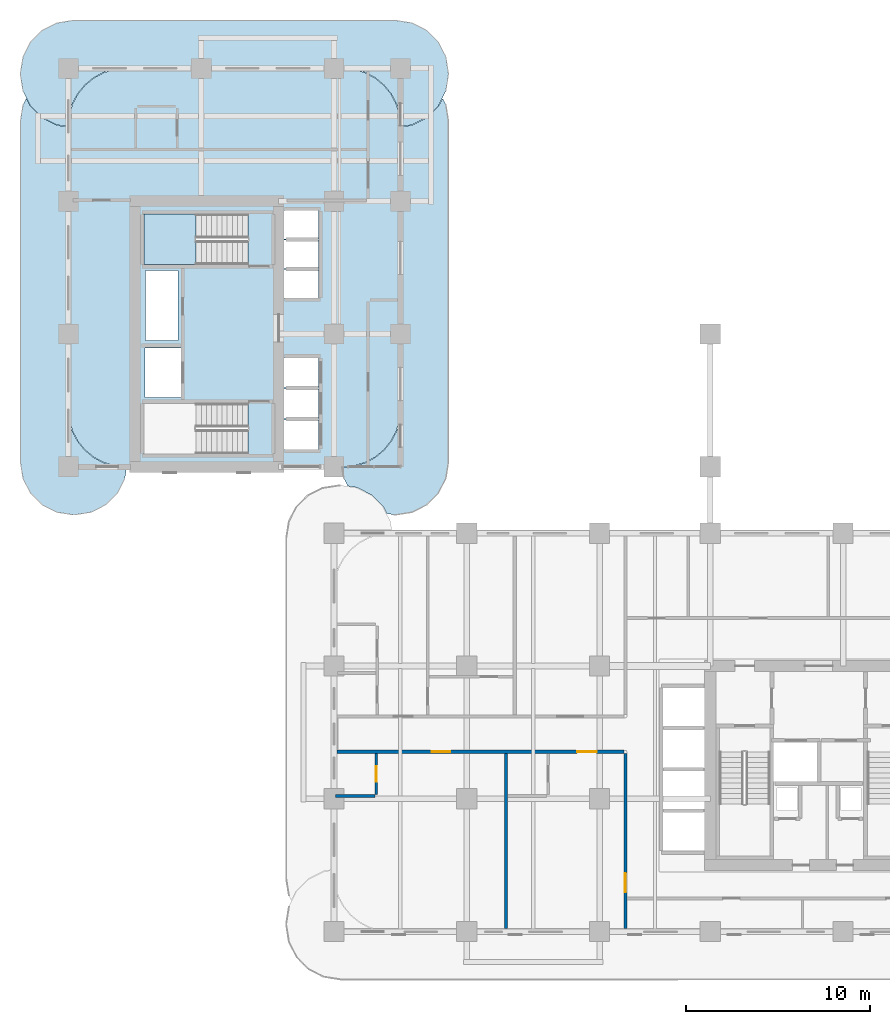
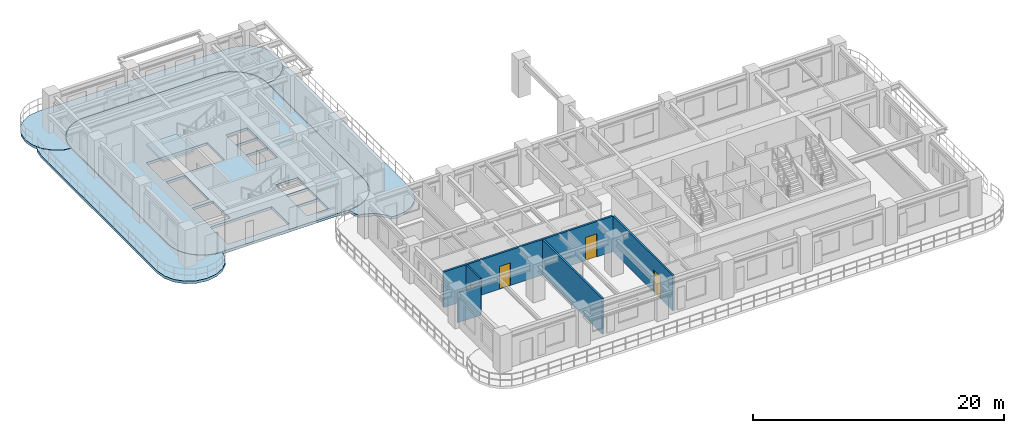
# One storey, part 6 of 19: 5 slabs, 5 walls, 4 doors, 4 openings, 1 element without a shape of its own.
"""IFC4 building model written with IfcOpenShell, lengths in metres."""

import ifcopenshell
import ifcopenshell.guid

model = None  # the IFC model being written
_history = None  # IfcOwnerHistory: only IFC2X3 demands one
_inside = {}  # id of a spatial element -> (the spatial element, [elements in it])
_under = {}  # id of a project, library or spatial element -> (it, [spatial elements below it])
_declared = {}  # id of a project -> (the project, [libraries it declares])
_typed = {}  # id of a type object -> (the type object, [elements of that type])
_made_of = {}  # id of a material, layer set ... -> (it, [elements and type objects made of it])


def new_model(schema):
    """Start an empty IFC model of exactly this schema.

    Asked for "IFC4X3", IfcOpenShell would pick the latest addendum, in which some entities
    have other attributes; the version numbers below select the first issue.
    IFC2X3 requires an IfcOwnerHistory on every rooted entity: one is made here for all.
    """
    global model, _history
    if schema == "IFC4X3":
        model = ifcopenshell.file(schema_version=(4, 3, 0, 0))
    else:
        model = ifcopenshell.file(schema=schema)
    _inside.clear()
    _under.clear()
    _declared.clear()
    _typed.clear()
    _made_of.clear()
    _history = None
    if model.schema == "IFC2X3":
        org = make("IfcOrganization", Name="unknown")
        user = make(
            "IfcPersonAndOrganization",
            ThePerson=make("IfcPerson", FamilyName="unknown"),
            TheOrganization=org,
        )
        app = make(
            "IfcApplication",
            ApplicationDeveloper=org,
            Version="unknown",
            ApplicationFullName="unknown",
            ApplicationIdentifier="unknown",
        )
        _history = make(
            "IfcOwnerHistory",
            OwningUser=user,
            OwningApplication=app,
            ChangeAction="ADDED",
            CreationDate=0,
        )
    return model


def make(cls, **values):
    """One entity of the class cls with the attributes given. An attribute that is None is left unset."""
    return model.create_entity(
        cls, **{name: value for name, value in values.items() if value is not None}
    )


def rooted(cls, **values):
    """An entity with a GlobalId (a new one), such as an element, a storey or a relation."""
    return make(cls, GlobalId=ifcopenshell.guid.new(), OwnerHistory=_history, **values)


def si_unit(unit_type, name, prefix=None):
    """IfcSIUnit, for example si_unit("LENGTHUNIT", "METRE", prefix="MILLI")."""
    return make("IfcSIUnit", UnitType=unit_type, Prefix=prefix, Name=name)


def derived_unit(unit_type, elements):
    """IfcDerivedUnit: a product of units, each with its exponent."""
    return make(
        "IfcDerivedUnit",
        Elements=[
            make("IfcDerivedUnitElement", Unit=unit, Exponent=power)
            for unit, power in elements
        ],
        UnitType=unit_type,
    )


def assignment(units):
    """IfcUnitAssignment: the units of a project."""
    return None if units is None else make("IfcUnitAssignment", Units=units)


def point(xyz):
    """IfcCartesianPoint."""
    return None if xyz is None else make("IfcCartesianPoint", Coordinates=xyz)


def direction(xyz):
    """IfcDirection."""
    return None if xyz is None else make("IfcDirection", DirectionRatios=xyz)


def frame(location, z_axis=None, x_axis=None):
    """IfcAxis2Placement3D, a coordinate frame: its origin and axes. An axis left out is left unset."""
    return make(
        "IfcAxis2Placement3D",
        Location=point(location),
        Axis=direction(z_axis),
        RefDirection=direction(x_axis),
    )


def frame_2d(location, x_axis=None):
    """IfcAxis2Placement2D, a coordinate frame in the plane: its origin and x axis."""
    return make(
        "IfcAxis2Placement2D", Location=point(location), RefDirection=direction(x_axis)
    )


def origin():
    """The frame at (0, 0, 0) with its axes left unset."""
    return frame((0.0, 0.0, 0.0))


def place(relative_to, where):
    """IfcLocalPlacement: puts the frame where relative to a parent placement (None: the world)."""
    return make(
        "IfcLocalPlacement", PlacementRelTo=relative_to, RelativePlacement=where
    )


def context(
    kind, dimensions, precision=None, world=None, true_north=None, identifier=None
):
    """IfcGeometricRepresentationContext, for example the 3D "Model" context."""
    return make(
        "IfcGeometricRepresentationContext",
        ContextIdentifier=identifier,
        ContextType=kind,
        CoordinateSpaceDimension=dimensions,
        Precision=precision,
        WorldCoordinateSystem=world,
        TrueNorth=true_north,
    )


def subcontext(parent, identifier, kind, view, scale=None):
    """IfcGeometricRepresentationSubContext, for example "Body" below "Model"."""
    return make(
        "IfcGeometricRepresentationSubContext",
        ContextIdentifier=identifier,
        ContextType=kind,
        ParentContext=parent,
        TargetScale=scale,
        TargetView=view,
    )


def project(units=None, contexts=None):
    """IfcProject with its units and contexts."""
    return rooted(
        "IfcProject",
        Name="project",
        RepresentationContexts=contexts,
        UnitsInContext=assignment(units),
    )


def spatial(cls, under=None, at=None, **own):
    """A site, building, storey or space (cls), placed at a placement, below another one or the project."""
    s = rooted(cls, ObjectPlacement=at, **own)
    if under is not None:
        _under.setdefault(under.id(), (under, []))[1].append(s)
    return s


def polyline(points):
    """IfcPolyline through the points."""
    return make("IfcPolyline", Points=[point(p) for p in points])


def profile(cls, at=None, kind="AREA", **sizes):
    """A parametric profile (cls). Its sizes go by their IFC names, for example OverallWidth=200.0."""
    return make(cls, ProfileType=kind, Position=at, **sizes)


def rectangle(**sizes):
    """IfcRectangleProfileDef."""
    return profile("IfcRectangleProfileDef", **sizes)


def outline(outer, holes=None, kind="AREA"):
    """IfcArbitraryClosedProfileDef: a profile drawn as a closed curve; with holes, ...WithVoids."""
    if holes is None:
        return make("IfcArbitraryClosedProfileDef", ProfileType=kind, OuterCurve=outer)
    return make(
        "IfcArbitraryProfileDefWithVoids",
        ProfileType=kind,
        OuterCurve=outer,
        InnerCurves=holes,
    )


def extrude(swept, where, along, depth):
    """IfcExtrudedAreaSolid: the profile swept, set in the frame where, extruded along a direction by depth."""
    return make(
        "IfcExtrudedAreaSolid",
        SweptArea=swept,
        Position=where,
        ExtrudedDirection=direction(along),
        Depth=depth,
    )


def shape(context_of_items, identifier, shape_type, items):
    """IfcShapeRepresentation: the items that make up one representation, for example the "Body"."""
    return make(
        "IfcShapeRepresentation",
        ContextOfItems=context_of_items,
        RepresentationIdentifier=identifier,
        RepresentationType=shape_type,
        Items=items,
    )


def source(mapping_origin, context_of_items, identifier, shape_type, items):
    """IfcRepresentationMap: a shape defined once, which mapped items show again and again."""
    return make(
        "IfcRepresentationMap",
        MappingOrigin=mapping_origin,
        MappedRepresentation=shape(context_of_items, identifier, shape_type, items),
    )


def transform(
    local_origin,
    x_axis=None,
    y_axis=None,
    z_axis=None,
    scale=None,
    scale2=None,
    scale3=None,
    uniform=True,
):
    """IfcCartesianTransformationOperator3D, or its non-uniform kind. x_axis, y_axis, z_axis: its Axis1, 2, 3."""
    if uniform:
        return make(
            "IfcCartesianTransformationOperator3D",
            Axis1=direction(x_axis),
            Axis2=direction(y_axis),
            LocalOrigin=point(local_origin),
            Scale=scale,
            Axis3=direction(z_axis),
        )
    return make(
        "IfcCartesianTransformationOperator3DnonUniform",
        Axis1=direction(x_axis),
        Axis2=direction(y_axis),
        LocalOrigin=point(local_origin),
        Scale=scale,
        Axis3=direction(z_axis),
        Scale2=scale2,
        Scale3=scale3,
    )


def mapped(mapping_source, mapping_target):
    """IfcMappedItem: shows the shape of a source again, moved by a transform."""
    return make(
        "IfcMappedItem", MappingSource=mapping_source, MappingTarget=mapping_target
    )


def material(Name=None, Category=None):
    """IfcMaterial."""
    return make("IfcMaterial", Name=Name, Category=Category)


def layer(
    of_material, thickness, ventilated=None, Name=None, Category=None, Priority=None
):
    """IfcMaterialLayer: one layer of a wall or slab, of a material (None: an air gap)."""
    return make(
        "IfcMaterialLayer",
        Material=of_material,
        LayerThickness=thickness,
        IsVentilated=ventilated,
        Name=Name,
        Category=Category,
        Priority=Priority,
    )


def layer_set(layers, Name=None):
    """IfcMaterialLayerSet."""
    return make("IfcMaterialLayerSet", MaterialLayers=layers, LayerSetName=Name)


def made_of(thing, what):
    """Note that an element or type object is made of a material, layer set ...; save() writes the relation."""
    if what is not None:
        _made_of.setdefault(what.id(), (what, []))[1].append(thing)
    return thing


def type_object(cls, material=None, **own):
    """A type object (cls), such as IfcWallType, which elements share."""
    return made_of(rooted(cls, **own), material)


def type_shapes(of_type, sources):
    """Give a type object the sources (RepresentationMaps) that its elements show as mapped items."""
    of_type.RepresentationMaps = sources


def element(
    cls,
    number,
    at=None,
    inside=None,
    cuts=None,
    type_object=None,
    material=None,
    context=None,
    identifier="Body",
    shape_type=None,
    held_by="IfcProductDefinitionShape",
    body=None,
    shapes=None,
    **own,
):
    """One element of the class cls, such as IfcWall. Its Tag is "e" and its number.

    at: its placement. inside: the storey or other place that contains it. cuts: it is an
    opening in that element (IfcRelVoidsElement). A single representation is given by context,
    identifier, shape_type and body (its items); several are given by shapes. held_by: the class
    of the entity that holds the representations. save() writes the other relations.
    """
    e = rooted(cls, Tag="e%d" % number, ObjectPlacement=at, **own)
    if body is not None:
        shapes = [shape(context, identifier, shape_type, body)]
    if shapes is not None:
        e.Representation = make(held_by, Representations=shapes)
    if inside is not None:
        _inside.setdefault(inside.id(), (inside, []))[1].append(e)
    if cuts is not None:
        rooted(
            "IfcRelVoidsElement", RelatingBuildingElement=cuts, RelatedOpeningElement=e
        )
    if type_object is not None:
        _typed.setdefault(type_object.id(), (type_object, []))[1].append(e)
    return made_of(e, material)


def fill(opening, filler):
    """IfcRelFillsElement: the door or window that sits in an opening."""
    return rooted(
        "IfcRelFillsElement",
        RelatingOpeningElement=opening,
        RelatedBuildingElement=filler,
    )


def aggregate(whole, parts):
    """IfcRelAggregates: a whole, such as a stair, and the parts it consists of."""
    return rooted("IfcRelAggregates", RelatingObject=whole, RelatedObjects=parts)


def save(model, path):
    """Write the relations noted so far, then the file.

    IfcRelAggregates (storeys below a building ...), IfcRelContainedInSpatialStructure (elements
    in a storey), IfcRelDefinesByType, IfcRelAssociatesMaterial and IfcRelDeclares: one each for
    every whole, place, type object, material and project.
    """
    for whole, parts in _under.values():
        aggregate(whole, parts)
    for where, things in _inside.values():
        rooted(
            "IfcRelContainedInSpatialStructure",
            RelatedElements=things,
            RelatingStructure=where,
        )
    for kind, things in _typed.values():
        rooted("IfcRelDefinesByType", RelatedObjects=things, RelatingType=kind)
    for what, things in _made_of.values():
        rooted("IfcRelAssociatesMaterial", RelatedObjects=things, RelatingMaterial=what)
    for by, libraries in _declared.values():
        rooted("IfcRelDeclares", RelatingContext=by, RelatedDefinitions=libraries)
    model.write(path)


model = new_model("IFC4")

# Units and contexts
model_context = context("Model", 3, precision=1e-05, world=origin(), true_north=direction((0.0, 1.0)))
body_context = subcontext(model_context, "Body", "Model", "MODEL_VIEW")
ifc_project = project(units=[si_unit("LENGTHUNIT", "METRE"), si_unit("AREAUNIT", "SQUARE_METRE"), si_unit("VOLUMEUNIT", "CUBIC_METRE"), si_unit("PLANEANGLEUNIT", "RADIAN"), si_unit("MASSUNIT", "GRAM", prefix="KILO"), si_unit("THERMODYNAMICTEMPERATUREUNIT", "KELVIN"), si_unit("POWERUNIT", "WATT"), derived_unit("THERMALTRANSMITTANCEUNIT", [(si_unit("POWERUNIT", "WATT"), 1), (si_unit("AREAUNIT", "SQUARE_METRE"), -1), (si_unit("THERMODYNAMICTEMPERATUREUNIT", "KELVIN"), -1)])], contexts=[model_context])

# Site, building, storey
site_placement = place(None, origin())
site = spatial("IfcSite", under=ifc_project, at=site_placement, CompositionType="ELEMENT")
building_placement = place(site_placement, origin())
building = spatial("IfcBuilding", under=site, at=building_placement, Name="Zahravan Archway Hotel and Residences", CompositionType="ELEMENT")
storey_placement = place(building_placement, frame((0.0, 0.0, 39.800048828125)))
storey = spatial("IfcBuildingStorey", under=building, at=storey_placement, Name="L08", CompositionType="ELEMENT", Elevation=39.800048828125)

# Slabs
ifc_material_1 = material(Name="Concrete C45/55", Category="concrete")
ifc_layer_1 = layer(ifc_material_1, 0.25, Name="Concrete C45/55", Category="concrete")
ifc_layer_set_1 = layer_set([ifc_layer_1], Name="Concrete C45/55")
slab_type_1 = type_object("IfcSlabType", Name="SLB-BALC-250", PredefinedType="FLOOR", material=ifc_layer_set_1)
slab_1_placement = place(storey_placement, frame((0.0, 0.0, -0.25)))
element("IfcSlab", 1, at=slab_1_placement, inside=storey, type_object=slab_type_1, Name="L08 Wing B North Rounded Balcony Band", PredefinedType="FLOOR", context=body_context, shape_type="SweptSolid", body=[
    extrude(outline(polyline([(-0.630615234375, 43.739501953125), (-1.42529296875, 44.144287109375), (-2.0556640625, 44.77490234375), (-2.46044921875, 45.5693359375), (-2.60009765625, 46.449951171875), (-2.60009765625, 46.550048828125), (-2.46044921875, 47.4306640625), (-2.0556640625, 48.22509765625), (-1.42529296875, 48.855712890625), (-0.630615234375, 49.260498046875), (0.25, 49.39990234375), (17.75, 49.39990234375), (18.630615234375, 49.260498046875), (19.42529296875, 48.855712890625), (20.0556640625, 48.22509765625), (20.46044921875, 47.4306640625), (20.60009765625, 46.550048828125), (20.60009765625, 46.449951171875), (20.46044921875, 45.5693359375), (20.0556640625, 44.77490234375), (19.42529296875, 44.144287109375), (18.630615234375, 43.739501953125), (18.02001953125, 43.642822265625), (18.02001953125, 43.699951171875), (18.02001953125, 43.701904296875), (17.960205078125, 44.306884765625), (17.9599609375, 44.30859375), (17.95947265625, 44.310546875), (17.783203125, 44.89208984375), (17.782470703125, 44.89404296875), (17.781494140625, 44.895751953125), (17.4951171875, 45.431640625), (17.494140625, 45.433349609375), (17.4931640625, 45.43505859375), (17.107421875, 45.90478515625), (17.106201171875, 45.906005859375), (17.104736328125, 45.907470703125), (16.635009765625, 46.293212890625), (16.63330078125, 46.294189453125), (16.631591796875, 46.295166015625), (16.095703125, 46.58154296875), (16.093994140625, 46.58251953125), (16.092041015625, 46.5830078125), (15.510498046875, 46.759521484375), (15.5087890625, 46.760009765625), (15.5068359375, 46.76025390625), (14.902099609375, 46.81982421875), (14.89990234375, 46.820068359375), (3.10009765625, 46.820068359375), (3.097900390625, 46.81982421875), (2.4931640625, 46.76025390625), (2.4912109375, 46.760009765625), (2.489501953125, 46.759521484375), (1.907958984375, 46.5830078125), (1.906005859375, 46.58251953125), (1.904296875, 46.58154296875), (1.368408203125, 46.295166015625), (1.36669921875, 46.294189453125), (1.364990234375, 46.293212890625), (0.895263671875, 45.907470703125), (0.893798828125, 45.906005859375), (0.892578125, 45.90478515625), (0.5068359375, 45.43505859375), (0.505859375, 45.433349609375), (0.5048828125, 45.431640625), (0.218505859375, 44.895751953125), (0.217529296875, 44.89404296875), (0.216796875, 44.89208984375), (0.04052734375, 44.310546875), (0.0400390625, 44.30859375), (0.039794921875, 44.306884765625), (-0.02001953125, 43.701904296875), (-0.02001953125, 43.699951171875), (-0.02001953125, 43.642822265625), (-0.630615234375, 43.739501953125)])), origin(), (0.0, 0.0, 1.0), 0.25),
])
slab_2_placement = place(storey_placement, frame((0.0, 0.0, -0.25)))
element("IfcSlab", 2, at=slab_2_placement, inside=storey, type_object=slab_type_1, Name="L08 Wing B West Rounded Balcony Band", PredefinedType="FLOOR", context=body_context, shape_type="SweptSolid", body=[
    extrude(outline(polyline([(3.060546875, 24.5693359375), (2.65576171875, 23.77490234375), (2.025146484375, 23.144287109375), (1.230712890625, 22.739501953125), (0.35009765625, 22.60009765625), (0.25, 22.60009765625), (-0.630615234375, 22.739501953125), (-1.42529296875, 23.144287109375), (-2.0556640625, 23.77490234375), (-2.46044921875, 24.5693359375), (-2.60009765625, 25.449951171875), (-2.60009765625, 43.949951171875), (-2.46044921875, 44.830810546875), (-2.28369140625, 45.177978515625), (-2.073486328125, 44.765625), (-2.072509765625, 44.763916015625), (-2.0712890625, 44.76220703125), (-2.06982421875, 44.7607421875), (-1.439208984375, 44.130126953125), (-1.437744140625, 44.12890625), (-1.43603515625, 44.12744140625), (-1.434326171875, 44.12646484375), (-0.639892578125, 43.7216796875), (-0.637939453125, 43.720703125), (-0.635986328125, 43.72021484375), (-0.6337890625, 43.7197265625), (-0.023193359375, 43.623046875), (-0.021240234375, 43.622802734375), (-0.02001953125, 43.622802734375), (-0.02001953125, 28.300048828125), (-0.02001953125, 28.298095703125), (0.039794921875, 27.693115234375), (0.0400390625, 27.69140625), (0.04052734375, 27.689453125), (0.216796875, 27.10791015625), (0.217529296875, 27.10595703125), (0.218505859375, 27.104248046875), (0.5048828125, 26.568359375), (0.505859375, 26.566650390625), (0.5068359375, 26.56494140625), (0.892578125, 26.09521484375), (0.893798828125, 26.093994140625), (0.895263671875, 26.092529296875), (1.364990234375, 25.706787109375), (1.36669921875, 25.705810546875), (1.368408203125, 25.704833984375), (1.904296875, 25.41845703125), (1.906005859375, 25.41748046875), (1.907958984375, 25.4169921875), (2.489501953125, 25.240478515625), (2.4912109375, 25.239990234375), (2.4931640625, 25.23974609375), (3.097900390625, 25.18017578125), (3.10009765625, 25.179931640625), (3.1572265625, 25.179931640625), (3.060546875, 24.5693359375)])), origin(), (0.0, 0.0, 1.0), 0.25),
])
slab_3_placement = place(storey_placement, frame((0.0, 0.0, -0.25)))
element("IfcSlab", 3, at=slab_3_placement, inside=storey, type_object=slab_type_1, Name="L08 Wing B East Rounded Balcony Band", PredefinedType="FLOOR", context=body_context, shape_type="SweptSolid", body=[
    extrude(outline(polyline([(20.46044921875, 44.830810546875), (20.60009765625, 43.949951171875), (20.60009765625, 25.449951171875), (20.46044921875, 24.5693359375), (20.0556640625, 23.77490234375), (19.42529296875, 23.144287109375), (18.630615234375, 22.739501953125), (17.75, 22.60009765625), (17.64990234375, 22.60009765625), (17.263671875, 22.6611328125), (17.073486328125, 23.0341796875), (17.072509765625, 23.0361328125), (17.0712890625, 23.037841796875), (17.06982421875, 23.039306640625), (16.439208984375, 23.669921875), (16.437744140625, 23.671142578125), (16.43603515625, 23.672607421875), (16.434326171875, 23.673583984375), (15.639892578125, 24.078369140625), (15.637939453125, 24.0791015625), (15.635986328125, 24.079833984375), (15.6337890625, 24.080322265625), (15.149658203125, 24.156982421875), (14.939453125, 24.5693359375), (14.8427734375, 25.179931640625), (14.89990234375, 25.179931640625), (14.902099609375, 25.18017578125), (15.5068359375, 25.23974609375), (15.5087890625, 25.239990234375), (15.510498046875, 25.240478515625), (16.092041015625, 25.4169921875), (16.093994140625, 25.41748046875), (16.095703125, 25.41845703125), (16.631591796875, 25.704833984375), (16.63330078125, 25.705810546875), (16.635009765625, 25.706787109375), (17.104736328125, 26.092529296875), (17.106201171875, 26.093994140625), (17.107421875, 26.09521484375), (17.4931640625, 26.56494140625), (17.494140625, 26.566650390625), (17.4951171875, 26.568359375), (17.781494140625, 27.104248046875), (17.782470703125, 27.10595703125), (17.783203125, 27.10791015625), (17.95947265625, 27.689453125), (17.9599609375, 27.69140625), (17.960205078125, 27.693115234375), (18.02001953125, 28.298095703125), (18.02001953125, 28.300048828125), (18.02001953125, 43.622802734375), (18.021240234375, 43.622802734375), (18.023193359375, 43.623046875), (18.6337890625, 43.7197265625), (18.635986328125, 43.72021484375), (18.637939453125, 43.720703125), (18.639892578125, 43.7216796875), (19.434326171875, 44.12646484375), (19.43603515625, 44.12744140625), (19.437744140625, 44.12890625), (19.439208984375, 44.130126953125), (20.06982421875, 44.7607421875), (20.0712890625, 44.76220703125), (20.072509765625, 44.763916015625), (20.073486328125, 44.765625), (20.28369140625, 45.177978515625), (20.46044921875, 44.830810546875)])), origin(), (0.0, 0.0, 1.0), 0.25),
])
ifc_layer_2 = layer(ifc_material_1, 0.25, Name="Concrete C45/55", Category="concrete")
ifc_layer_set_2 = layer_set([ifc_layer_2], Name="Concrete C45/55")
slab_type_2 = type_object("IfcSlabType", Name="SLB-FLR-250", PredefinedType="FLOOR", material=ifc_layer_set_2)
slab_4_placement = place(storey_placement, frame((0.0, 0.0, -0.25)))
element("IfcSlab", 4, at=slab_4_placement, inside=storey, type_object=slab_type_2, Name="L08 Floor Slab WB", PredefinedType="FLOOR", context=body_context, shape_type="SweptSolid", body=[
    extrude(outline(polyline([(14.89990234375, 25.199951171875), (15.5048828125, 25.259521484375), (16.086181640625, 25.43603515625), (16.622314453125, 25.722412109375), (17.092041015625, 26.10791015625), (17.4775390625, 26.57763671875), (17.763916015625, 27.11376953125), (17.9404296875, 27.6953125), (18.0, 28.300048828125), (18.0, 43.699951171875), (17.9404296875, 44.3046875), (17.763916015625, 44.88623046875), (17.4775390625, 45.42236328125), (17.092041015625, 45.89208984375), (16.622314453125, 46.277587890625), (16.086181640625, 46.56396484375), (15.5048828125, 46.740478515625), (14.89990234375, 46.800048828125), (3.10009765625, 46.800048828125), (2.4951171875, 46.740478515625), (1.913818359375, 46.56396484375), (1.377685546875, 46.277587890625), (0.907958984375, 45.89208984375), (0.5224609375, 45.42236328125), (0.236083984375, 44.88623046875), (0.0595703125, 44.3046875), (0.0, 43.699951171875), (0.0, 28.300048828125), (0.0595703125, 27.6953125), (0.236083984375, 27.11376953125), (0.5224609375, 26.57763671875), (0.907958984375, 26.10791015625), (1.377685546875, 25.722412109375), (1.913818359375, 25.43603515625), (2.4951171875, 25.259521484375), (3.10009765625, 25.199951171875), (14.89990234375, 25.199951171875)]), holes=[polyline([(9.72998046875, 28.639892578125), (4.10009765625, 28.639892578125), (4.10009765625, 25.89990234375), (9.72998046875, 25.89990234375), (9.72998046875, 28.639892578125)]), polyline([(9.72998046875, 38.89990234375), (4.10009765625, 38.89990234375), (4.10009765625, 36.159912109375), (9.72998046875, 36.159912109375), (9.72998046875, 38.89990234375)]), polyline([(4.14990234375, 28.949951171875), (6.10009765625, 28.949951171875), (6.10009765625, 31.64990234375), (4.14990234375, 31.64990234375), (4.14990234375, 28.949951171875)]), polyline([(11.550048828125, 26.14990234375), (13.550048828125, 26.14990234375), (13.550048828125, 27.75), (11.550048828125, 27.75), (11.550048828125, 26.14990234375)]), polyline([(11.550048828125, 27.830078125), (13.550048828125, 27.830078125), (13.550048828125, 29.429931640625), (11.550048828125, 29.429931640625), (11.550048828125, 27.830078125)]), polyline([(11.550048828125, 29.510009765625), (13.550048828125, 29.510009765625), (13.550048828125, 31.110107421875), (11.550048828125, 31.110107421875), (11.550048828125, 29.510009765625)]), polyline([(11.550048828125, 34.35009765625), (13.550048828125, 34.35009765625), (13.550048828125, 35.889892578125), (11.550048828125, 35.889892578125), (11.550048828125, 34.35009765625)]), polyline([(11.550048828125, 35.949951171875), (13.550048828125, 35.949951171875), (13.550048828125, 37.489990234375), (11.550048828125, 37.489990234375), (11.550048828125, 35.949951171875)]), polyline([(11.550048828125, 37.550048828125), (13.550048828125, 37.550048828125), (13.550048828125, 39.090087890625), (11.550048828125, 39.090087890625), (11.550048828125, 37.550048828125)]), polyline([(4.179931640625, 32.050048828125), (5.93994140625, 32.050048828125), (5.93994140625, 35.840087890625), (4.179931640625, 35.840087890625), (4.179931640625, 32.050048828125)])]), origin(), (0.0, 0.0, 1.0), 0.25),
])

# Stair, slab
ifc_material_2 = material(Name="Concrete C50/60", Category="concrete")
stair_type = type_object("IfcStairType", Name="STR-CORE-1300", PredefinedType="HALF_TURN_STAIR", material=ifc_material_2)
stair_placement = place(storey_placement, origin())
stair = element("IfcStair", 5, at=stair_placement, inside=storey, type_object=stair_type, Name="L08 Core B Exit Stair 2", PredefinedType="HALF_TURN_STAIR")
ifc_layer_3 = layer(ifc_material_2, 0.199951171875, Name="Concrete C50/60", Category="concrete")
ifc_layer_set_3 = layer_set([ifc_layer_3], Name="Concrete C50/60")
slab_type_3 = type_object("IfcSlabType", Name="SLB-LND-200", PredefinedType="LANDING", material=ifc_layer_set_3)
slab_5_placement = place(storey_placement, frame((0.0, 0.0, 1.64990234375)))
slab_5 = element("IfcSlab", 6, at=slab_5_placement, type_object=slab_type_3, Name="ST-B2 landing 1", PredefinedType="LANDING", context=body_context, shape_type="SweptSolid", body=[
    extrude(outline(polyline([(6.929931640625, 38.89990234375), (4.10009765625, 38.89990234375), (4.10009765625, 36.159912109375), (6.929931640625, 36.159912109375), (6.929931640625, 38.89990234375)])), origin(), (0.0, 0.0, 1.0), 0.199951171875),
])
aggregate(stair, [slab_5])

# Wall, opening, door
ifc_material_3 = material(Name="Fire-Rated Gypsum & Concrete Block", Category="concrete")
ifc_layer_4 = layer(ifc_material_3, 0.159912109375, Name="Fire-Rated Gypsum & Concrete Block", Category="concrete")
ifc_layer_set_4 = layer_set([ifc_layer_4], Name="Fire-Rated Gypsum & Concrete Block")
wall_type_1 = type_object("IfcWallType", Name="PW-CORR-160", PredefinedType="PARTITIONING", material=ifc_layer_set_4)
wall_1_placement = place(storey_placement, frame((30.199951171875, 0.16796875, 0.0), z_axis=(0.0, 0.0, 1.0), x_axis=(0.0, 1.0, 0.0)))
wall_1 = element("IfcWall", 7, at=wall_1_placement, inside=storey, type_object=wall_type_1, Name="L08 Partition WA-SRW", PredefinedType="PARTITIONING", context=body_context, shape_type="SweptSolid", body=[
    extrude(rectangle(XDim=9.491943359375, YDim=0.159912109375, at=frame_2d((4.74609375, 0.0))), origin(), (0.0, 0.0, 1.0), 3.449951171875),
])
opening_1_placement = place(wall_1_placement, frame((1.95703125, 0.0, 0.0)))
opening_1 = element("IfcOpeningElement", 8, at=opening_1_placement, cuts=wall_1, Name="Opening FD-L2", PredefinedType="OPENING", context=body_context, shape_type="SweptSolid", body=[
    extrude(rectangle(XDim=1.050048828125, YDim=2.14990234375, at=frame_2d((0.52490234375, 1.074951171875))), frame((0.0, 0.08984375, 0.0), z_axis=(0.0, -1.0, 0.0), x_axis=(1.0, 0.0, 0.0)), (0.0, 0.0, 1.0), 0.179931640625),
])
ifc_material_4 = material(Name="Fire-Rated Painted Steel", Category="steel")
door_type_1 = type_object("IfcDoorType", Name="FD-LOBBY-1100", OperationType="NOTDEFINED", PredefinedType="DOOR", material=ifc_material_4)
shared_shape_1 = source(origin(), body_context, "Body", "SweptSolid", [
    extrude(rectangle(XDim=1.050048828125, YDim=2.14990234375, at=frame_2d((0.52490234375, 1.074951171875))), frame((0.0, 0.02490234375, 0.0), z_axis=(0.0, -1.0, 0.0), x_axis=(1.0, 0.0, 0.0)), (0.0, 0.0, 1.0), 0.050048828125),
])
type_shapes(door_type_1, [shared_shape_1])
door_1_placement = place(opening_1_placement, origin())
door_1 = element("IfcDoor", 9, at=door_1_placement, inside=storey, type_object=door_type_1, Name="L08 South Riser Corridor Door", OperationType="SINGLE_SWING_LEFT", OverallHeight=2.14990234375, OverallWidth=1.050048828125, PredefinedType="DOOR", context=body_context, shape_type="MappedRepresentation", body=[
    mapped(shared_shape_1, transform((0.0, 0.0, 0.0), scale=1.0)),
])
fill(opening_1, door_1)

# Wall, openings, doors
ifc_layer_5 = layer(ifc_material_3, 0.179931640625, Name="Fire-Rated Gypsum & Concrete Block", Category="concrete")
ifc_layer_set_5 = layer_set([ifc_layer_5], Name="Fire-Rated Gypsum & Concrete Block")
wall_type_2 = type_object("IfcWallType", Name="PW-CORR-180", PredefinedType="PARTITIONING", material=ifc_layer_set_5)
wall_2_placement = place(storey_placement, frame((14.568115234375, 9.75, 0.0), z_axis=(0.0, 0.0, 1.0), x_axis=(1.0, 0.0, 0.0)))
wall_2 = element("IfcWall", 10, at=wall_2_placement, inside=storey, type_object=wall_type_2, Name="L08 Partition WA-CS", PredefinedType="PARTITIONING", context=body_context, shape_type="SweptSolid", body=[
    extrude(rectangle(XDim=15.5419921875, YDim=0.179931640625, at=frame_2d((7.77099609375, 0.0))), origin(), (0.0, 0.0, 1.0), 3.449951171875),
])
opening_2_placement = place(wall_2_placement, frame((5.14208984375, 0.0, 0.0)))
opening_2 = element("IfcOpeningElement", 11, at=opening_2_placement, cuts=wall_2, Name="Opening D-U2", PredefinedType="OPENING", context=body_context, shape_type="SweptSolid", body=[
    extrude(rectangle(XDim=1.0, YDim=2.199951171875, at=frame_2d((0.5, 1.10009765625))), frame((0.0, 0.10009765625, 0.0), z_axis=(0.0, -1.0, 0.0), x_axis=(1.0, 0.0, 0.0)), (0.0, 0.0, 1.0), 0.199951171875),
])
opening_3_placement = place(wall_2_placement, frame((13.01708984375, 0.0, 0.0)))
opening_3 = element("IfcOpeningElement", 12, at=opening_3_placement, cuts=wall_2, Name="Opening D-U1", PredefinedType="OPENING", context=body_context, shape_type="SweptSolid", body=[
    extrude(rectangle(XDim=1.050048828125, YDim=2.25, at=frame_2d((0.52490234375, 1.125))), frame((0.0, 0.10009765625, 0.0), z_axis=(0.0, -1.0, 0.0), x_axis=(1.0, 0.0, 0.0)), (0.0, 0.0, 1.0), 0.199951171875),
])
ifc_material_5 = material(Name="Hardwood Veneer Timber", Category="wood")
door_type_2 = type_object("IfcDoorType", Name="ID-UNIT-1050", OperationType="NOTDEFINED", PredefinedType="DOOR", material=ifc_material_5)
shared_shape_2 = source(origin(), body_context, "Body", "SweptSolid", [
    extrude(rectangle(XDim=1.050048828125, YDim=2.25, at=frame_2d((0.52490234375, 1.125))), frame((0.0, 0.02490234375, 0.0), z_axis=(0.0, -1.0, 0.0), x_axis=(1.0, 0.0, 0.0)), (0.0, 0.0, 1.0), 0.050048828125),
])
type_shapes(door_type_2, [shared_shape_2])
door_2_placement = place(opening_3_placement, origin())
door_2 = element("IfcDoor", 13, at=door_2_placement, inside=storey, type_object=door_type_2, Name="L08 Hotel Guestroom 12 Entrance Door", OperationType="SINGLE_SWING_LEFT", OverallHeight=2.25, OverallWidth=1.050048828125, PredefinedType="DOOR", context=body_context, shape_type="MappedRepresentation", body=[
    mapped(shared_shape_2, transform((0.0, 0.0, 0.0), scale=1.0)),
])
fill(opening_3, door_2)
door_type_3 = type_object("IfcDoorType", Name="ID-UNIT-1000", OperationType="NOTDEFINED", PredefinedType="DOOR", material=ifc_material_5)
shared_shape_3 = source(origin(), body_context, "Body", "SweptSolid", [
    extrude(rectangle(XDim=1.0, YDim=2.199951171875, at=frame_2d((0.5, 1.10009765625))), frame((0.0, 0.02490234375, 0.0), z_axis=(0.0, -1.0, 0.0), x_axis=(1.0, 0.0, 0.0)), (0.0, 0.0, 1.0), 0.050048828125),
])
type_shapes(door_type_3, [shared_shape_3])
door_3_placement = place(opening_2_placement, origin())
door_3 = element("IfcDoor", 14, at=door_3_placement, inside=storey, type_object=door_type_3, Name="L08 Hotel Guestroom 11 Entrance Door", OperationType="SINGLE_SWING_LEFT", OverallHeight=2.199951171875, OverallWidth=1.0, PredefinedType="DOOR", context=body_context, shape_type="MappedRepresentation", body=[
    mapped(shared_shape_3, transform((0.0, 0.0, 0.0), scale=1.0)),
])
fill(opening_2, door_3)

# Wall
ifc_material_6 = material(Name="Acoustic Stud Partition")
ifc_layer_6 = layer(ifc_material_6, 0.169921875, Name="Acoustic Stud Partition")
ifc_layer_set_6 = layer_set([ifc_layer_6], Name="Acoustic Stud Partition")
wall_type_3 = type_object("IfcWallType", Name="PW-UNIT-170", PredefinedType="PARTITIONING", material=ifc_layer_set_6)
wall_3_placement = place(storey_placement, frame((23.719970703125, 0.16796875, 0.0), z_axis=(0.0, 0.0, 1.0), x_axis=(0.0, 1.0, 0.0)))
element("IfcWall", 15, at=wall_3_placement, inside=storey, type_object=wall_type_3, Name="L08 Partition WAS-1M", PredefinedType="PARTITIONING", context=body_context, shape_type="SweptSolid", body=[
    extrude(rectangle(XDim=9.491943359375, YDim=0.169921875, at=frame_2d((4.74609375, 0.0))), origin(), (0.0, 0.0, 1.0), 3.449951171875),
])

# Wall, opening, door
ifc_material_7 = material(Name="Moisture-Resistant Blockwork", Category="masonry")
ifc_layer_7 = layer(ifc_material_7, 0.139892578125, Name="Moisture-Resistant Blockwork", Category="masonry")
ifc_layer_set_7 = layer_set([ifc_layer_7], Name="Moisture-Resistant Blockwork")
wall_type_4 = type_object("IfcWallType", Name="PW-WET-140", PredefinedType="PARTITIONING", material=ifc_layer_set_7)
wall_4_placement = place(storey_placement, frame((16.699951171875, 7.43994140625, 0.0), z_axis=(0.0, 0.0, 1.0), x_axis=(0.0, 1.0, 0.0)))
wall_4 = element("IfcWall", 16, at=wall_4_placement, inside=storey, type_object=wall_type_4, Name="L08 Partition HKB-V11", PredefinedType="PARTITIONING", context=body_context, shape_type="SweptSolid", body=[
    extrude(rectangle(XDim=2.219970703125, YDim=0.139892578125, at=frame_2d((1.10986328125, 0.0))), origin(), (0.0, 0.0, 1.0), 3.449951171875),
])
opening_4_placement = place(wall_4_placement, frame((0.68505859375, 0.0, 0.0)))
opening_4 = element("IfcOpeningElement", 17, at=opening_4_placement, cuts=wall_4, Name="Opening D-B1", PredefinedType="OPENING", context=body_context, shape_type="SweptSolid", body=[
    extrude(rectangle(XDim=0.85009765625, YDim=2.10009765625, at=frame_2d((0.425048828125, 1.050048828125))), frame((0.0, 0.080078125, 0.0), z_axis=(0.0, -1.0, 0.0), x_axis=(1.0, 0.0, 0.0)), (0.0, 0.0, 1.0), 0.159912109375),
])
door_type_4 = type_object("IfcDoorType", Name="ID-BATH-850", OperationType="NOTDEFINED", PredefinedType="DOOR", material=ifc_material_5)
shared_shape_4 = source(origin(), body_context, "Body", "SweptSolid", [
    extrude(rectangle(XDim=0.85009765625, YDim=2.10009765625, at=frame_2d((0.425048828125, 1.050048828125))), frame((0.0, 0.02490234375, 0.0), z_axis=(0.0, -1.0, 0.0), x_axis=(1.0, 0.0, 0.0)), (0.0, 0.0, 1.0), 0.050048828125),
])
type_shapes(door_type_4, [shared_shape_4])
door_4_placement = place(opening_4_placement, origin())
door_4 = element("IfcDoor", 18, at=door_4_placement, inside=storey, type_object=door_type_4, Name="L08 Guestroom 11 En-Suite Door", OperationType="SINGLE_SWING_RIGHT", OverallHeight=2.10009765625, OverallWidth=0.85009765625, PredefinedType="DOOR", context=body_context, shape_type="MappedRepresentation", body=[
    mapped(shared_shape_4, transform((0.0, 0.0, 0.0), scale=1.0)),
])
fill(opening_4, door_4)

# Wall
wall_5_placement = place(storey_placement, frame((14.489990234375, 7.35009765625, 0.0), z_axis=(0.0, 0.0, 1.0), x_axis=(1.0, 0.0, 0.0)))
element("IfcWall", 19, at=wall_5_placement, inside=storey, type_object=wall_type_4, Name="L08 Partition HKB-H11", PredefinedType="PARTITIONING", context=body_context, shape_type="SweptSolid", body=[
    extrude(rectangle(XDim=2.1201171875, YDim=0.139892578125, at=frame_2d((1.06005859375, 0.0))), origin(), (0.0, 0.0, 1.0), 2.885009765625),
])

save(model, "model.ifc")
